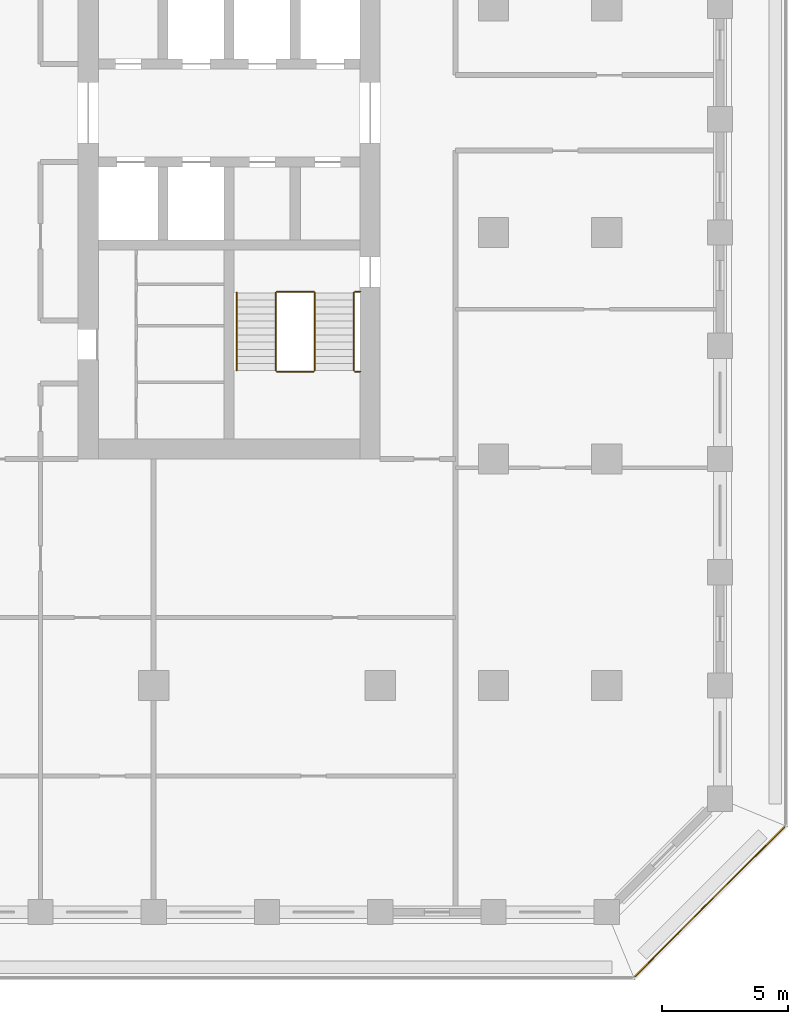
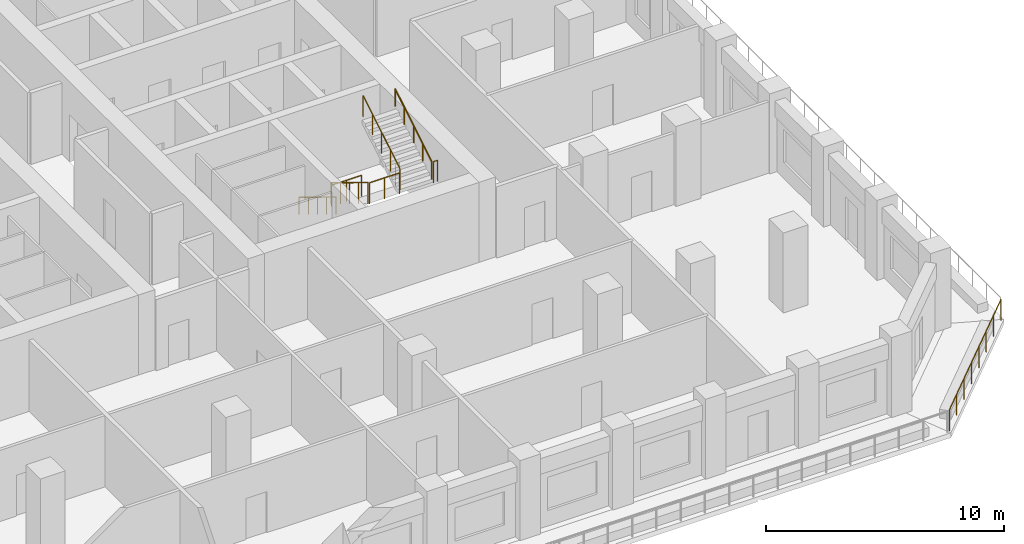
# One storey, part 11 of 16: 9 railings.
"""IFC4 building model written with IfcOpenShell, lengths in metres."""

from ifc_helpers import new_model, si_unit, direction, frame, origin, origin_2d, place, context, subcontext, project, spatial, circle, extrude, material, type_object, element, save


model = new_model("IFC4")

# Units and contexts
model_context = context("Model", 3, precision=1e-05, world=origin(), true_north=direction((0.0, 1.0)))
body_context = subcontext(model_context, "Body", "Model", "MODEL_VIEW")
ifc_project = project(units=[si_unit("LENGTHUNIT", "METRE"), si_unit("AREAUNIT", "SQUARE_METRE"), si_unit("VOLUMEUNIT", "CUBIC_METRE"), si_unit("PLANEANGLEUNIT", "RADIAN"), si_unit("MASSUNIT", "GRAM", prefix="KILO")], contexts=[model_context])

# Site, building, storey
site_placement = place(None, origin())
site = spatial("IfcSite", under=ifc_project, at=site_placement, CompositionType="ELEMENT")
building_placement = place(site_placement, origin())
building = spatial("IfcBuilding", under=site, at=building_placement, Name="Corbel Stack Research Tower", CompositionType="ELEMENT")
storey_placement = place(building_placement, frame((0.0, 0.0, 203.800048828125)))
storey = spatial("IfcBuildingStorey", under=building, at=storey_placement, Name="L46", CompositionType="ELEMENT", Elevation=203.800048828125)

# Railings
ifc_material_1 = material(Name="Steel S355", Category="steel")
railing_type_1 = type_object("IfcRailingType", Name="Stair guard 1100", PredefinedType="GUARDRAIL", material=ifc_material_1)
railing_1_placement = place(storey_placement, frame((13.85009765625, -2.39990234375, 0.1708984375)))
element("IfcRailing", 1, at=railing_1_placement, inside=storey, type_object=railing_type_1, Name="L46 ST-E1 stair guard 1", PredefinedType="GUARDRAIL", context=body_context, shape_type="SweptSolid", body=[
    extrude(circle(Radius=0.02392578125, at=origin_2d()), frame((0.0, 0.0, 1.076171875), z_axis=(0.0, -0.853666305674, 0.52082035152), x_axis=(1.0, 0.0, 0.0)), (0.0, 0.0, 1.0), 3.608154296875),
    extrude(circle(Radius=0.02099609375, at=origin_2d()), origin(), (0.0, 0.0, 1.0), 1.052001953125),
    extrude(circle(Radius=0.02099609375, at=origin_2d()), frame((0.0, -0.77001953125, 0.4697265625)), (0.0, 0.0, 1.0), 1.052001953125),
    extrude(circle(Radius=0.02099609375, at=origin_2d()), frame((0.0, -1.5400390625, 0.939453125)), (0.0, 0.0, 1.0), 1.052001953125),
    extrude(circle(Radius=0.02099609375, at=origin_2d()), frame((0.0, -2.31005859375, 1.409423828125)), (0.0, 0.0, 1.0), 1.052001953125),
    extrude(circle(Radius=0.02099609375, at=origin_2d()), frame((0.0, -3.080078125, 1.879150390625)), (0.0, 0.0, 1.0), 1.052001953125),
])
railing_2_placement = place(storey_placement, frame((13.89990234375, -5.530029296875, 2.050048828125)))
element("IfcRailing", 2, at=railing_2_placement, inside=storey, type_object=railing_type_1, Name="L46 ST-E1 stair guard 2", PredefinedType="GUARDRAIL", context=body_context, shape_type="SweptSolid", body=[
    extrude(circle(Radius=0.02392578125, at=origin_2d()), frame((0.0, 0.0, 1.076171875), z_axis=(1.0, 0.0, 0.0), x_axis=(0.0, 1.0, 0.0)), (0.0, 0.0, 1.0), 1.4501953125),
    extrude(circle(Radius=0.02099609375, at=origin_2d()), origin(), (0.0, 0.0, 1.0), 1.052001953125),
    extrude(circle(Radius=0.02099609375, at=origin_2d()), frame((0.72509765625, 0.0, 0.0)), (0.0, 0.0, 1.0), 1.052001953125),
    extrude(circle(Radius=0.02099609375, at=origin_2d()), frame((1.4501953125, 0.0, 0.0)), (0.0, 0.0, 1.0), 1.052001953125),
])
railing_3_placement = place(storey_placement, frame((17.0, -5.530029296875, 2.050048828125)))
element("IfcRailing", 3, at=railing_3_placement, inside=storey, type_object=railing_type_1, Name="L46 ST-E1 stair guard 3", PredefinedType="GUARDRAIL", context=body_context, shape_type="SweptSolid", body=[
    extrude(circle(Radius=0.02392578125, at=origin_2d()), frame((0.0, 0.0, 1.076171875), z_axis=(1.0, 0.0, 0.0), x_axis=(0.0, 1.0, 0.0)), (0.0, 0.0, 1.0), 0.199951171875),
    extrude(circle(Radius=0.02099609375, at=origin_2d()), origin(), (0.0, 0.0, 1.0), 1.052001953125),
    extrude(circle(Radius=0.02099609375, at=origin_2d()), frame((0.199951171875, 0.0, 0.0)), (0.0, 0.0, 1.0), 1.052001953125),
])
railing_4_placement = place(storey_placement, frame((15.39990234375, -5.47998046875, 2.220703125)))
element("IfcRailing", 4, at=railing_4_placement, inside=storey, type_object=railing_type_1, Name="L46 ST-E1 stair guard 4", PredefinedType="GUARDRAIL", context=body_context, shape_type="SweptSolid", body=[
    extrude(circle(Radius=0.02392578125, at=origin_2d()), frame((0.0, 0.0, 1.076171875), z_axis=(0.0, 0.853666305674, 0.52082035152), x_axis=(-1.0, 0.0, 0.0)), (0.0, 0.0, 1.0), 3.608154296875),
    extrude(circle(Radius=0.02099609375, at=origin_2d()), origin(), (0.0, 0.0, 1.0), 1.052001953125),
    extrude(circle(Radius=0.02099609375, at=origin_2d()), frame((0.0, 0.77001953125, 0.4697265625)), (0.0, 0.0, 1.0), 1.052001953125),
    extrude(circle(Radius=0.02099609375, at=origin_2d()), frame((0.0, 1.5400390625, 0.939453125)), (0.0, 0.0, 1.0), 1.052001953125),
    extrude(circle(Radius=0.02099609375, at=origin_2d()), frame((0.0, 2.31005859375, 1.409423828125)), (0.0, 0.0, 1.0), 1.052001953125),
    extrude(circle(Radius=0.02099609375, at=origin_2d()), frame((0.0, 3.080078125, 1.879150390625)), (0.0, 0.0, 1.0), 1.052001953125),
])
railing_5_placement = place(storey_placement, frame((13.89990234375, -2.35009765625, 0.0)))
element("IfcRailing", 5, at=railing_5_placement, inside=storey, type_object=railing_type_1, Name="L46 ST-E1 stair guard 5", PredefinedType="GUARDRAIL", context=body_context, shape_type="SweptSolid", body=[
    extrude(circle(Radius=0.02392578125, at=origin_2d()), frame((0.0, 0.0, 1.076171875), z_axis=(1.0, 0.0, 0.0), x_axis=(0.0, 1.0, 0.0)), (0.0, 0.0, 1.0), 1.4501953125),
    extrude(circle(Radius=0.02099609375, at=origin_2d()), origin(), (0.0, 0.0, 1.0), 1.052001953125),
    extrude(circle(Radius=0.02099609375, at=origin_2d()), frame((0.72509765625, 0.0, 0.0)), (0.0, 0.0, 1.0), 1.052001953125),
    extrude(circle(Radius=0.02099609375, at=origin_2d()), frame((1.4501953125, 0.0, 0.0)), (0.0, 0.0, 1.0), 1.052001953125),
])
railing_6_placement = place(storey_placement, frame((17.0, -2.35009765625, 0.0)))
element("IfcRailing", 6, at=railing_6_placement, inside=storey, type_object=railing_type_1, Name="L46 ST-E1 stair guard 6", PredefinedType="GUARDRAIL", context=body_context, shape_type="SweptSolid", body=[
    extrude(circle(Radius=0.02392578125, at=origin_2d()), frame((0.0, 0.0, 1.076171875), z_axis=(1.0, 0.0, 0.0), x_axis=(0.0, 1.0, 0.0)), (0.0, 0.0, 1.0), 0.199951171875),
    extrude(circle(Radius=0.02099609375, at=origin_2d()), origin(), (0.0, 0.0, 1.0), 1.052001953125),
    extrude(circle(Radius=0.02099609375, at=origin_2d()), frame((0.199951171875, 0.0, 0.0)), (0.0, 0.0, 1.0), 1.052001953125),
])
ifc_material_2 = material(Name="Steel S355", Category="steel")
railing_type_2 = type_object("IfcRailingType", Name="Stair handrail 900", PredefinedType="HANDRAIL", material=ifc_material_2)
railing_7_placement = place(storey_placement, frame((12.300048828125, -2.39990234375, 0.1708984375)))
element("IfcRailing", 7, at=railing_7_placement, inside=storey, type_object=railing_type_2, Name="L46 ST-E1 stair handrail 1", PredefinedType="HANDRAIL", context=body_context, shape_type="SweptSolid", body=[
    extrude(circle(Radius=0.02392578125, at=origin_2d()), frame((0.0, 0.0, 0.8759765625), z_axis=(0.0, -0.853666305674, 0.52082035152), x_axis=(1.0, 0.0, 0.0)), (0.0, 0.0, 1.0), 3.608154296875),
    extrude(circle(Radius=0.02099609375, at=origin_2d()), origin(), (0.0, 0.0, 1.0), 0.851806640625),
    extrude(circle(Radius=0.02099609375, at=origin_2d()), frame((0.0, -0.77001953125, 0.4697265625)), (0.0, 0.0, 1.0), 0.851806640625),
    extrude(circle(Radius=0.02099609375, at=origin_2d()), frame((0.0, -1.5400390625, 0.939453125)), (0.0, 0.0, 1.0), 0.851806640625),
    extrude(circle(Radius=0.02099609375, at=origin_2d()), frame((0.0, -2.31005859375, 1.409423828125)), (0.0, 0.0, 1.0), 0.851806640625),
    extrude(circle(Radius=0.02099609375, at=origin_2d()), frame((0.0, -3.080078125, 1.879150390625)), (0.0, 0.0, 1.0), 0.851806640625),
])
railing_8_placement = place(storey_placement, frame((16.949951171875, -5.47998046875, 2.220703125)))
element("IfcRailing", 8, at=railing_8_placement, inside=storey, type_object=railing_type_2, Name="L46 ST-E1 stair handrail 2", PredefinedType="HANDRAIL", context=body_context, shape_type="SweptSolid", body=[
    extrude(circle(Radius=0.02392578125, at=origin_2d()), frame((0.0, 0.0, 0.8759765625), z_axis=(0.0, 0.853666305674, 0.52082035152), x_axis=(-1.0, 0.0, 0.0)), (0.0, 0.0, 1.0), 3.608154296875),
    extrude(circle(Radius=0.02099609375, at=origin_2d()), origin(), (0.0, 0.0, 1.0), 0.851806640625),
    extrude(circle(Radius=0.02099609375, at=origin_2d()), frame((0.0, 0.77001953125, 0.4697265625)), (0.0, 0.0, 1.0), 0.851806640625),
    extrude(circle(Radius=0.02099609375, at=origin_2d()), frame((0.0, 1.5400390625, 0.939453125)), (0.0, 0.0, 1.0), 0.851806640625),
    extrude(circle(Radius=0.02099609375, at=origin_2d()), frame((0.0, 2.31005859375, 1.409423828125)), (0.0, 0.0, 1.0), 0.851806640625),
    extrude(circle(Radius=0.02099609375, at=origin_2d()), frame((0.0, 3.080078125, 1.879150390625)), (0.0, 0.0, 1.0), 0.851806640625),
])
ifc_material_3 = material(Name="Powder-coated steel guard", Category="steel")
railing_type_3 = type_object("IfcRailingType", Name="Steel and glass guard 1100", PredefinedType="GUARDRAIL", material=ifc_material_3)
railing_9_placement = place(storey_placement, frame((28.127685546875, -29.54931640625, 0.0)))
element("IfcRailing", 9, at=railing_9_placement, inside=storey, type_object=railing_type_3, Name="Loggia guard L46 SE", PredefinedType="GUARDRAIL", context=body_context, shape_type="SweptSolid", body=[
    extrude(circle(Radius=0.02392578125, at=origin_2d()), frame((0.0, 0.0, 1.076171875), z_axis=(0.707106781187, 0.707106781187, 0.0), x_axis=(-0.707106781187, 0.707106781187, 0.0)), (0.0, 0.0, 1.0), 8.37451171875),
    extrude(circle(Radius=0.02099609375, at=origin_2d()), origin(), (0.0, 0.0, 1.0), 1.052001953125),
    extrude(circle(Radius=0.02099609375, at=origin_2d()), frame((0.845947265625, 0.845947265625, 0.0)), (0.0, 0.0, 1.0), 1.052001953125),
    extrude(circle(Radius=0.02099609375, at=origin_2d()), frame((1.69189453125, 1.69189453125, 0.0)), (0.0, 0.0, 1.0), 1.052001953125),
    extrude(circle(Radius=0.02099609375, at=origin_2d()), frame((2.537841796875, 2.537841796875, 0.0)), (0.0, 0.0, 1.0), 1.052001953125),
    extrude(circle(Radius=0.02099609375, at=origin_2d()), frame((3.3837890625, 3.3837890625, 0.0)), (0.0, 0.0, 1.0), 1.052001953125),
    extrude(circle(Radius=0.02099609375, at=origin_2d()), frame((4.229736328125, 4.229736328125, 0.0)), (0.0, 0.0, 1.0), 1.052001953125),
    extrude(circle(Radius=0.02099609375, at=origin_2d()), frame((5.07568359375, 5.07568359375, 0.0)), (0.0, 0.0, 1.0), 1.052001953125),
    extrude(circle(Radius=0.02099609375, at=origin_2d()), frame((5.921630859375, 5.921630859375, 0.0)), (0.0, 0.0, 1.0), 1.052001953125),
])

save(model, "model.ifc")
